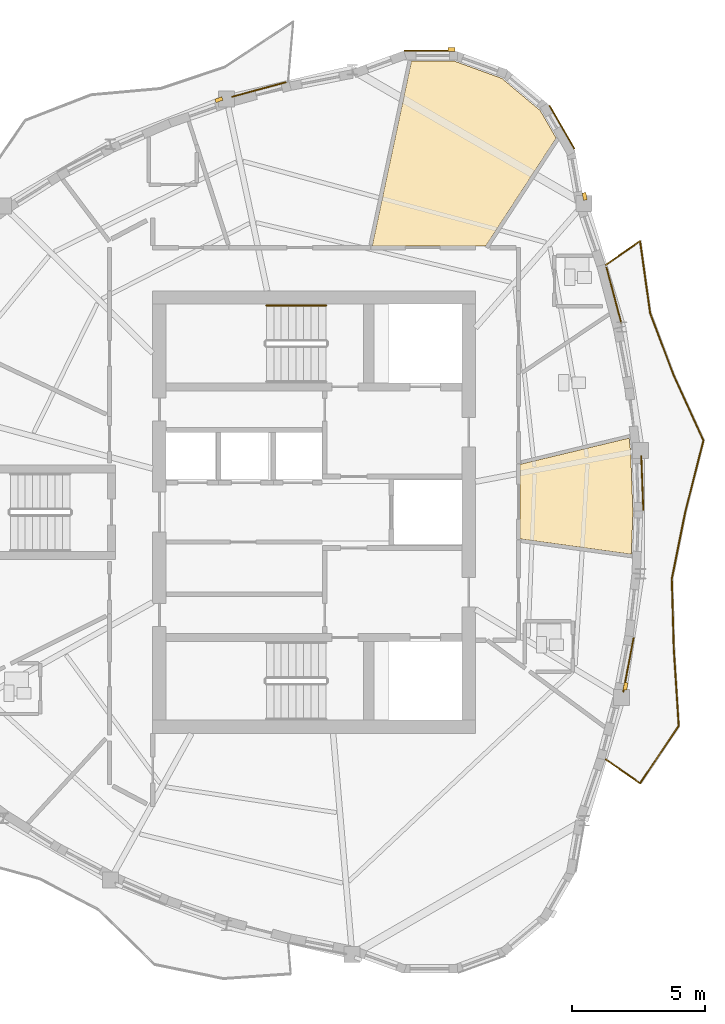
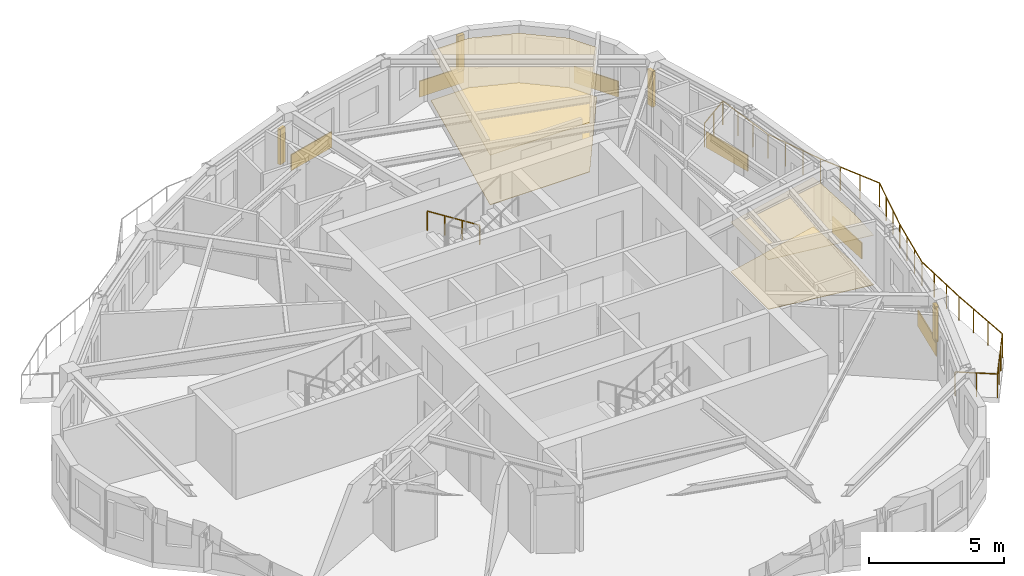
# One storey, part 11 of 12: 10 coverings, 4 shading devices, 2 railings.
"""IFC4 building model written with IfcOpenShell, lengths in metres."""

from ifc_helpers import new_model, si_unit, direction, frame, origin, origin_2d, place, context, subcontext, project, spatial, polyline, rectangle, circle, outline, extrude, source, transform, mapped, material, layer, layer_set, type_object, element, save


model = new_model("IFC4")

# Units and contexts
model_context = context("Model", 3, precision=1e-05, world=origin(), true_north=direction((0.0, 1.0)))
body_context = subcontext(model_context, "Body", "Model", "MODEL_VIEW")
ifc_project = project(units=[si_unit("LENGTHUNIT", "METRE"), si_unit("AREAUNIT", "SQUARE_METRE"), si_unit("VOLUMEUNIT", "CUBIC_METRE"), si_unit("PLANEANGLEUNIT", "RADIAN"), si_unit("MASSUNIT", "GRAM", prefix="KILO")], contexts=[model_context])

# Site, building, storey
site_placement = place(None, origin())
site = spatial("IfcSite", under=ifc_project, at=site_placement, CompositionType="ELEMENT")
building_placement = place(site_placement, origin())
building = spatial("IfcBuilding", under=site, at=building_placement, Name="Qafzar Sky-Pleat Residences", CompositionType="ELEMENT")
storey_placement = place(building_placement, frame((0.0, 0.0, 198.800048828125)))
storey = spatial("IfcBuildingStorey", under=building, at=storey_placement, Name="L59", CompositionType="ELEMENT", Elevation=198.800048828125)

# Coverings
ifc_material_1 = material(Name="Perforated acoustic gypsum board ceiling")
ifc_layer_1 = layer(ifc_material_1, 0.02001953125)
ifc_layer_set_1 = layer_set([ifc_layer_1], Name="Perforated acoustic gypsum board ceiling")
covering_type_1 = type_object("IfcCoveringType", Name="COV-CEIL-ACOUSTIC", PredefinedType="CEILING", material=ifc_layer_set_1)
covering_1_placement = place(storey_placement, frame((0.0, 0.0, 2.239990234375)))
element("IfcCovering", 1, at=covering_1_placement, inside=storey, type_object=covering_type_1, Name="L59 Communal Kitchen Acoustic Ceiling", PredefinedType="CEILING", context=body_context, shape_type="SweptSolid", body=[
    extrude(outline(polyline([(42.22119140625, 28.285888671875), (42.30810546875, 26.0), (42.248046875, 24.42138671875), (38.080078125, 24.99560546875), (38.080078125, 27.7958984375), (42.165283203125, 28.777587890625), (42.22119140625, 28.285888671875)])), origin(), (0.0, 0.0, 1.0), 0.02001953125),
])
covering_2_placement = place(storey_placement, frame((0.0, 0.0, 2.239990234375)))
element("IfcCovering", 2, at=covering_2_placement, inside=storey, type_object=covering_type_1, Name="L59 Co-Living Lounge Acoustic Ceiling", PredefinedType="CEILING", context=body_context, shape_type="SweptSolid", body=[
    extrude(outline(polyline([(35.6220703125, 42.912109375), (37.39208984375, 42.267578125), (38.835205078125, 41.056884765625), (39.42822265625, 40.02978515625), (36.787109375, 35.97998046875), (32.530517578125, 35.97998046875), (34.00244140625, 42.912109375), (35.6220703125, 42.912109375)])), origin(), (0.0, 0.0, 1.0), 0.02001953125),
])
ifc_material_2 = material(Name="Honed porcelain and Riyadh stone tile flooring", Category="masonry")
ifc_layer_2 = layer(ifc_material_2, 0.02001953125)
ifc_layer_set_2 = layer_set([ifc_layer_2], Name="Honed porcelain and Riyadh stone tile flooring")
covering_type_2 = type_object("IfcCoveringType", Name="COV-FLR-PORCELAIN", PredefinedType="FLOORING", material=ifc_layer_set_2)
covering_3_placement = place(storey_placement, origin())
element("IfcCovering", 3, at=covering_3_placement, inside=storey, type_object=covering_type_2, Name="L59 Communal Kitchen Honed Stone Flooring", PredefinedType="FLOORING", context=body_context, shape_type="SweptSolid", body=[
    extrude(outline(polyline([(42.22119140625, 28.285888671875), (42.30810546875, 26.0), (42.248046875, 24.42138671875), (38.080078125, 24.99560546875), (38.080078125, 27.7958984375), (42.165283203125, 28.777587890625), (42.22119140625, 28.285888671875)])), origin(), (0.0, 0.0, 1.0), 0.02001953125),
])
covering_4_placement = place(storey_placement, origin())
element("IfcCovering", 4, at=covering_4_placement, inside=storey, type_object=covering_type_2, Name="L59 Co-Living Lounge Honed Stone Flooring", PredefinedType="FLOORING", context=body_context, shape_type="SweptSolid", body=[
    extrude(outline(polyline([(35.6220703125, 42.912109375), (37.39208984375, 42.267578125), (38.835205078125, 41.056884765625), (39.42822265625, 40.02978515625), (36.787109375, 35.97998046875), (32.530517578125, 35.97998046875), (34.00244140625, 42.912109375), (35.6220703125, 42.912109375)])), origin(), (0.0, 0.0, 1.0), 0.02001953125),
])

# Shading devices
ifc_material_3 = material(Name="Honed Riyadh limestone solar fin", Category="masonry")
ifc_layer_3 = layer(ifc_material_3, 0.139892578125)
ifc_layer_set_3 = layer_set([ifc_layer_3], Name="Honed Riyadh limestone solar fin")
shading_device_type = type_object("IfcShadingDeviceType", Name="SHD-FIN-STONE", PredefinedType="SHUTTER", material=ifc_layer_set_3)
shared_shape_1 = source(origin(), body_context, "Body", "SweptSolid", [
    extrude(rectangle(XDim=0.139892578125, YDim=0.280029296875, at=origin_2d()), origin(), (0.0, 0.0, 1.0), 1.60009765625),
])
for number, where, z_axis, x_axis, name in (
    (5, (42.03125, 19.469970703125, 0.599853515625), (0.0, 0.0, 1.0), (0.982422816778, -0.186669250475, 0.0), "L59 Limestone Solar Fin 25"),
    (6, (40.498779296875, 37.838623046875, 0.599853515625), (0.0, 0.0, 1.0), (0.984806040716, 0.173657888303, 0.0), "L59 Limestone Solar Fin 33"),
    (7, (35.504638671875, 43.346923828125, 0.599853515625), (0.0, 0.0, 1.0), (0.0, 1.0, 0.0), "L59 Limestone Solar Fin 37"),
    (8, (26.78173828125, 41.46630859375, 0.599853515625), (0.0, 0.0, 1.0), (-0.329582522198, 0.944126771711, 0.0), "L59 Limestone Solar Fin 41"),
):
    element("IfcShadingDevice", number, at=place(storey_placement, frame(where, z_axis=z_axis, x_axis=x_axis)), inside=storey, type_object=shading_device_type, Name=name, PredefinedType="SHUTTER", context=body_context, shape_type="MappedRepresentation", body=[
        mapped(shared_shape_1, transform((0.0, 0.0, 0.0), x_axis=(1.0, 0.0, 0.0), y_axis=(0.0, 1.0, 0.0), z_axis=(0.0, 0.0, 1.0), scale=1.0)),
    ])

# Coverings
ifc_material_4 = material(Name="Honed Riyadh Tuwaiq limestone cladding", Category="masonry")
ifc_layer_4 = layer(ifc_material_4, 0.044921875)
ifc_layer_set_4 = layer_set([ifc_layer_4], Name="Honed Riyadh Tuwaiq limestone cladding")
covering_type_3 = type_object("IfcCoveringType", Name="COV-CLAD-STONE", PredefinedType="CLADDING", material=ifc_layer_set_4)
shared_shape_2 = source(origin(), body_context, "Body", "SweptSolid", [
    extrude(rectangle(XDim=1.88134765625, YDim=0.044921875, at=origin_2d()), origin(), (0.0, 0.0, 1.0), 0.719970703125),
])
for number, where, z_axis, x_axis, name in (
    (9, (39.645751953125, 40.43701171875, 0.02001953125), (0.0, 0.0, 1.0), (-0.499972303345, 0.866041393865, 0.0), "L59 Riyadh Limestone Spandrel Cladding 34"),
    (10, (34.679931640625, 43.303955078125, 0.02001953125), (0.0, 0.0, 1.0), (-1.0, 0.0, 0.0), "L59 Riyadh Limestone Spandrel Cladding 37"),
):
    element("IfcCovering", number, at=place(storey_placement, frame(where, z_axis=z_axis, x_axis=x_axis)), inside=storey, type_object=covering_type_3, Name=name, PredefinedType="CLADDING", context=body_context, shape_type="MappedRepresentation", body=[
        mapped(shared_shape_2, transform((0.0, 0.0, 0.0), x_axis=(1.0, 0.0, 0.0), y_axis=(0.0, 1.0, 0.0), z_axis=(0.0, 0.0, 1.0), scale=1.0)),
    ])

# Railing
ifc_material_5 = material(Name="Laminated glass and bronze steel balustrade", Category="steel")
railing_type_1 = type_object("IfcRailingType", Name="RAIL-BAL-1100", PredefinedType="BALUSTRADE", material=ifc_material_5)
shared_shape_3 = source(origin(), body_context, "Body", "SweptSolid", [
    extrude(circle(Radius=0.02392578125, at=origin_2d()), frame((0.0, 0.0, 1.076171875), z_axis=(0.820204604859, -0.572070280794, 0.0), x_axis=(0.572070280794, 0.820204604859, 0.0)), (0.0, 0.0, 1.0), 1.578125),
    extrude(circle(Radius=0.02392578125, at=origin_2d()), frame((1.29443359375, -0.90283203125, 1.076171875), z_axis=(0.557971916083, 0.829859832058, 0.0), x_axis=(-0.829859832058, 0.557971916083, 0.0)), (0.0, 0.0, 1.0), 2.596923828125),
    extrude(circle(Radius=0.02392578125, at=origin_2d()), frame((2.743408203125, 1.252197265625, 1.076171875), z_axis=(-0.063814327299, 0.997961788663, 0.0), x_axis=(-0.997961788663, -0.063814327299, 0.0)), (0.0, 0.0, 1.0), 2.89990234375),
    extrude(circle(Radius=0.02392578125, at=origin_2d()), frame((2.558349609375, 4.146240234375, 1.076171875), z_axis=(-0.02826417954, 0.999600488273, 0.0), x_axis=(-0.999600488273, -0.02826417954, 0.0)), (0.0, 0.0, 1.0), 2.6171875),
    extrude(circle(Radius=0.02392578125, at=origin_2d()), frame((2.484375, 6.762451171875, 1.076171875), z_axis=(0.197091666484, 0.980385064657, 0.0), x_axis=(-0.980385064657, 0.197091666484, 0.0)), (0.0, 0.0, 1.0), 2.550537109375),
    extrude(circle(Radius=0.02392578125, at=origin_2d()), frame((2.987060546875, 9.262939453125, 1.076171875), z_axis=(0.246096098099, 0.969245433572, 0.0), x_axis=(-0.969245433572, 0.246096098099, 0.0)), (0.0, 0.0, 1.0), 2.773681640625),
    extrude(circle(Radius=0.02392578125, at=origin_2d()), frame((3.669677734375, 11.951416015625, 1.076171875), z_axis=(-0.416157265311, 0.909292653951, 0.0), x_axis=(-0.909292653951, -0.416157265311, 0.0)), (0.0, 0.0, 1.0), 2.67041015625),
    extrude(circle(Radius=0.02392578125, at=origin_2d()), frame((2.558349609375, 14.379638671875, 1.076171875), z_axis=(-0.352567417277, 0.935786415949, 0.0), x_axis=(-0.935786415949, -0.352567417277, 0.0)), (0.0, 0.0, 1.0), 2.519287109375),
    extrude(circle(Radius=0.02392578125, at=origin_2d()), frame((1.670166015625, 16.737060546875, 1.076171875), z_axis=(-0.138251360548, 0.990397173515, 0.0), x_axis=(-0.990397173515, -0.138251360548, 0.0)), (0.0, 0.0, 1.0), 2.7177734375),
    extrude(circle(Radius=0.02392578125, at=origin_2d()), frame((1.29443359375, 19.4287109375, 1.076171875), z_axis=(-0.820204604859, -0.572070280794, 0.0), x_axis=(0.572070280794, -0.820204604859, 0.0)), (0.0, 0.0, 1.0), 1.578125),
    extrude(circle(Radius=0.02099609375, at=origin_2d()), origin(), (0.0, 0.0, 1.0), 1.052001953125),
    extrude(circle(Radius=0.02099609375, at=origin_2d()), frame((0.647216796875, -0.451416015625, 0.0)), (0.0, 0.0, 1.0), 1.052001953125),
    extrude(circle(Radius=0.02099609375, at=origin_2d()), frame((1.29443359375, -0.90283203125, 0.0)), (0.0, 0.0, 1.0), 1.052001953125),
    extrude(circle(Radius=0.02099609375, at=origin_2d()), frame((1.77734375, -0.1845703125, 0.0)), (0.0, 0.0, 1.0), 1.052001953125),
    extrude(circle(Radius=0.02099609375, at=origin_2d()), frame((2.260498046875, 0.533935546875, 0.0)), (0.0, 0.0, 1.0), 1.052001953125),
    extrude(circle(Radius=0.02099609375, at=origin_2d()), frame((2.743408203125, 1.252197265625, 0.0)), (0.0, 0.0, 1.0), 1.052001953125),
    extrude(circle(Radius=0.02099609375, at=origin_2d()), frame((2.681640625, 2.216796875, 0.0)), (0.0, 0.0, 1.0), 1.052001953125),
    extrude(circle(Radius=0.02099609375, at=origin_2d()), frame((2.6201171875, 3.181640625, 0.0)), (0.0, 0.0, 1.0), 1.052001953125),
    extrude(circle(Radius=0.02099609375, at=origin_2d()), frame((2.558349609375, 4.146240234375, 0.0)), (0.0, 0.0, 1.0), 1.052001953125),
    extrude(circle(Radius=0.02099609375, at=origin_2d()), frame((2.53369140625, 5.018310546875, 0.0)), (0.0, 0.0, 1.0), 1.052001953125),
    extrude(circle(Radius=0.02099609375, at=origin_2d()), frame((2.509033203125, 5.890380859375, 0.0)), (0.0, 0.0, 1.0), 1.052001953125),
    extrude(circle(Radius=0.02099609375, at=origin_2d()), frame((2.484375, 6.762451171875, 0.0)), (0.0, 0.0, 1.0), 1.052001953125),
    extrude(circle(Radius=0.02099609375, at=origin_2d()), frame((2.65185546875, 7.595947265625, 0.0)), (0.0, 0.0, 1.0), 1.052001953125),
    extrude(circle(Radius=0.02099609375, at=origin_2d()), frame((2.819580078125, 8.429443359375, 0.0)), (0.0, 0.0, 1.0), 1.052001953125),
    extrude(circle(Radius=0.02099609375, at=origin_2d()), frame((2.987060546875, 9.262939453125, 0.0)), (0.0, 0.0, 1.0), 1.052001953125),
    extrude(circle(Radius=0.02099609375, at=origin_2d()), frame((3.214599609375, 10.1591796875, 0.0)), (0.0, 0.0, 1.0), 1.052001953125),
    extrude(circle(Radius=0.02099609375, at=origin_2d()), frame((3.442138671875, 11.05517578125, 0.0)), (0.0, 0.0, 1.0), 1.052001953125),
    extrude(circle(Radius=0.02099609375, at=origin_2d()), frame((3.669677734375, 11.951416015625, 0.0)), (0.0, 0.0, 1.0), 1.052001953125),
    extrude(circle(Radius=0.02099609375, at=origin_2d()), frame((3.29931640625, 12.7607421875, 0.0)), (0.0, 0.0, 1.0), 1.052001953125),
    extrude(circle(Radius=0.02099609375, at=origin_2d()), frame((2.9287109375, 13.5703125, 0.0)), (0.0, 0.0, 1.0), 1.052001953125),
    extrude(circle(Radius=0.02099609375, at=origin_2d()), frame((2.558349609375, 14.379638671875, 0.0)), (0.0, 0.0, 1.0), 1.052001953125),
    extrude(circle(Radius=0.02099609375, at=origin_2d()), frame((2.26220703125, 15.16552734375, 0.0)), (0.0, 0.0, 1.0), 1.052001953125),
    extrude(circle(Radius=0.02099609375, at=origin_2d()), frame((1.96630859375, 15.951171875, 0.0)), (0.0, 0.0, 1.0), 1.052001953125),
    extrude(circle(Radius=0.02099609375, at=origin_2d()), frame((1.670166015625, 16.737060546875, 0.0)), (0.0, 0.0, 1.0), 1.052001953125),
    extrude(circle(Radius=0.02099609375, at=origin_2d()), frame((1.544921875, 17.63427734375, 0.0)), (0.0, 0.0, 1.0), 1.052001953125),
    extrude(circle(Radius=0.02099609375, at=origin_2d()), frame((1.419677734375, 18.531494140625, 0.0)), (0.0, 0.0, 1.0), 1.052001953125),
    extrude(circle(Radius=0.02099609375, at=origin_2d()), frame((1.29443359375, 19.4287109375, 0.0)), (0.0, 0.0, 1.0), 1.052001953125),
    extrude(circle(Radius=0.02099609375, at=origin_2d()), frame((0.647216796875, 18.977294921875, 0.0)), (0.0, 0.0, 1.0), 1.052001953125),
    extrude(circle(Radius=0.02099609375, at=origin_2d()), frame((0.0, 18.52587890625, 0.0)), (0.0, 0.0, 1.0), 1.052001953125),
])
railing_1_placement = place(storey_placement, frame((41.28125, 16.737060546875, 0.0)))
element("IfcRailing", 11, at=railing_1_placement, inside=storey, type_object=railing_type_1, Name="L59 Pleated Balcony 1 Balustrade", PredefinedType="BALUSTRADE", context=body_context, shape_type="MappedRepresentation", body=[
    mapped(shared_shape_3, transform((0.0, 0.0, 0.0), x_axis=(1.0, 0.0, 0.0), y_axis=(0.0, 1.0, 0.0), z_axis=(0.0, 0.0, 1.0), scale=1.0)),
])

# Coverings
shared_shape_4 = source(origin(), body_context, "Body", "SweptSolid", [
    extrude(rectangle(XDim=2.0732421875, YDim=0.044921875, at=origin_2d()), origin(), (0.0, 0.0, 1.0), 0.719970703125),
])
covering_5_placement = place(storey_placement, frame((42.140380859375, 20.273681640625, 0.02001953125), z_axis=(0.0, 0.0, 1.0), x_axis=(0.186673215742, 0.982422063334, 0.0)))
element("IfcCovering", 12, at=covering_5_placement, inside=storey, type_object=covering_type_3, Name="L59 Riyadh Limestone Spandrel Cladding 25", PredefinedType="CLADDING", context=body_context, shape_type="MappedRepresentation", body=[
    mapped(shared_shape_4, transform((0.0, 0.0, 0.0), x_axis=(1.0, 0.0, 0.0), y_axis=(0.0, 1.0, 0.0), z_axis=(0.0, 0.0, 1.0), scale=1.0)),
])
shared_shape_5 = source(origin(), body_context, "Body", "SweptSolid", [
    extrude(rectangle(XDim=2.037353515625, YDim=0.044921875, at=origin_2d()), origin(), (0.0, 0.0, 1.0), 0.719970703125),
])
covering_6_placement = place(storey_placement, frame((42.65869140625, 27.093994140625, 0.02001953125), z_axis=(0.0, 0.0, 1.0), x_axis=(-0.037992003404, 0.999278043228, 0.0)))
element("IfcCovering", 13, at=covering_6_placement, inside=storey, type_object=covering_type_3, Name="L59 Riyadh Limestone Spandrel Cladding 28", PredefinedType="CLADDING", context=body_context, shape_type="MappedRepresentation", body=[
    mapped(shared_shape_5, transform((0.0, 0.0, 0.0), x_axis=(1.0, 0.0, 0.0), y_axis=(0.0, 1.0, 0.0), z_axis=(0.0, 0.0, 1.0), scale=1.0)),
])
shared_shape_6 = source(origin(), body_context, "Body", "SweptSolid", [
    extrude(rectangle(XDim=2.171142578125, YDim=0.044921875, at=origin_2d()), origin(), (0.0, 0.0, 1.0), 0.719970703125),
])
covering_7_placement = place(storey_placement, frame((41.593017578125, 34.1328125, 0.02001953125), z_axis=(0.0, 0.0, 1.0), x_axis=(-0.257040824531, 0.966400545594, 0.0)))
element("IfcCovering", 14, at=covering_7_placement, inside=storey, type_object=covering_type_3, Name="L59 Riyadh Limestone Spandrel Cladding 31", PredefinedType="CLADDING", context=body_context, shape_type="MappedRepresentation", body=[
    mapped(shared_shape_6, transform((0.0, 0.0, 0.0), x_axis=(1.0, 0.0, 0.0), y_axis=(0.0, 1.0, 0.0), z_axis=(0.0, 0.0, 1.0), scale=1.0)),
])
shared_shape_7 = source(origin(), body_context, "Body", "SweptSolid", [
    extrude(rectangle(XDim=2.1083984375, YDim=0.044921875, at=origin_2d()), origin(), (0.0, 0.0, 1.0), 0.719970703125),
])
covering_8_placement = place(storey_placement, frame((28.280517578125, 41.847412109375, 0.02001953125), z_axis=(0.0, 0.0, 1.0), x_axis=(-0.965464740247, -0.260533750867, 0.0)))
element("IfcCovering", 15, at=covering_8_placement, inside=storey, type_object=covering_type_3, Name="L59 Riyadh Limestone Spandrel Cladding 40", PredefinedType="CLADDING", context=body_context, shape_type="MappedRepresentation", body=[
    mapped(shared_shape_7, transform((0.0, 0.0, 0.0), x_axis=(1.0, 0.0, 0.0), y_axis=(0.0, 1.0, 0.0), z_axis=(0.0, 0.0, 1.0), scale=1.0)),
])

# Railing
ifc_material_6 = material(Name="Brushed stainless steel handrail", Category="steel")
railing_type_2 = type_object("IfcRailingType", Name="RAIL-STAIR-HAND", PredefinedType="HANDRAIL", material=ifc_material_6)
shared_shape_8 = source(origin(), body_context, "Body", "SweptSolid", [
    extrude(circle(Radius=0.02392578125, at=origin_2d()), frame((0.0, 0.0, 0.8759765625), z_axis=(-0.8442293374, 0.0, 0.53598211339), x_axis=(0.0, -1.0, 0.0)), (0.0, 0.0, 1.0), 2.6533203125),
    extrude(circle(Radius=0.02099609375, at=origin_2d()), origin(), (0.0, 0.0, 1.0), 0.851806640625),
    extrude(circle(Radius=0.02099609375, at=origin_2d()), frame((-0.74658203125, 0.0, 0.47412109375)), (0.0, 0.0, 1.0), 0.851806640625),
    extrude(circle(Radius=0.02099609375, at=origin_2d()), frame((-1.493408203125, 0.0, 0.947998046875)), (0.0, 0.0, 1.0), 0.851806640625),
    extrude(circle(Radius=0.02099609375, at=origin_2d()), frame((-2.239990234375, 0.0, 1.422119140625)), (0.0, 0.0, 1.0), 0.851806640625),
])
railing_2_placement = place(storey_placement, frame((30.800048828125, 33.75, 0.177734375)))
element("IfcRailing", 16, at=railing_2_placement, inside=storey, type_object=railing_type_2, Name="L59 ST2 stair handrail 1", PredefinedType="HANDRAIL", context=body_context, shape_type="MappedRepresentation", body=[
    mapped(shared_shape_8, transform((0.0, 0.0, 0.0), x_axis=(1.0, 0.0, 0.0), y_axis=(0.0, 1.0, 0.0), z_axis=(0.0, 0.0, 1.0), scale=1.0)),
])

save(model, "model.ifc")
